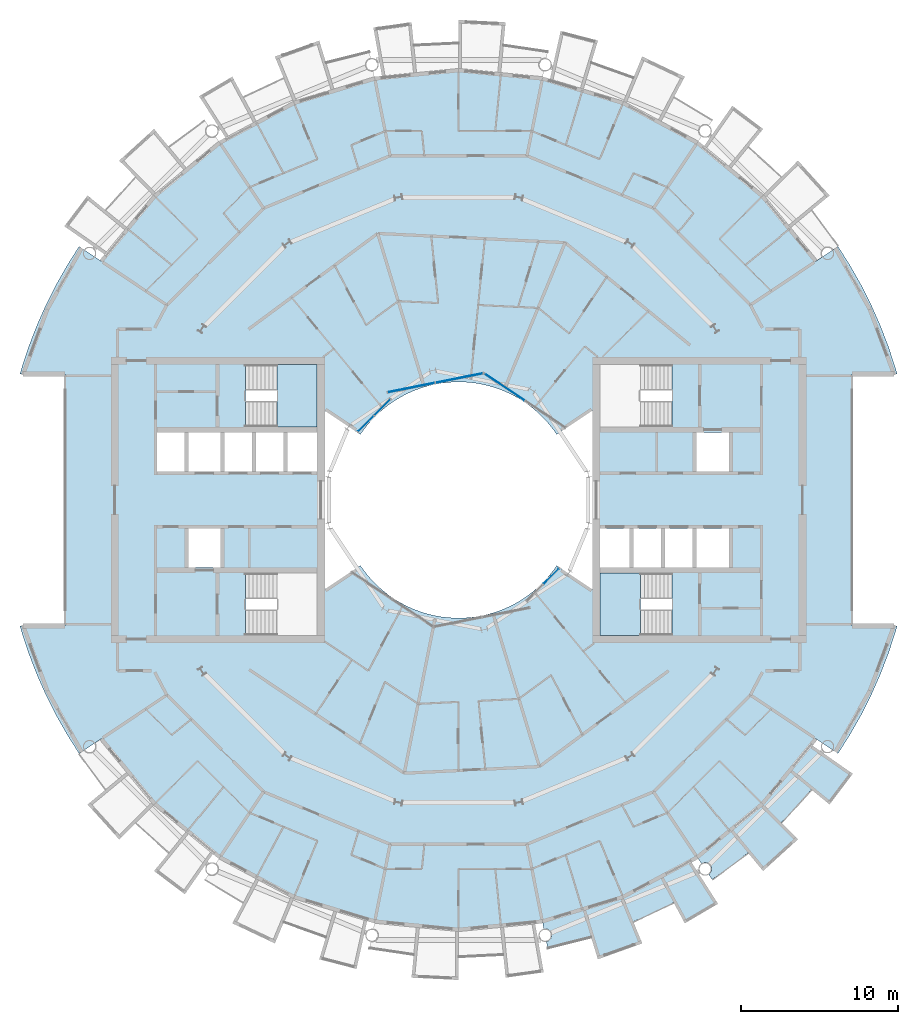
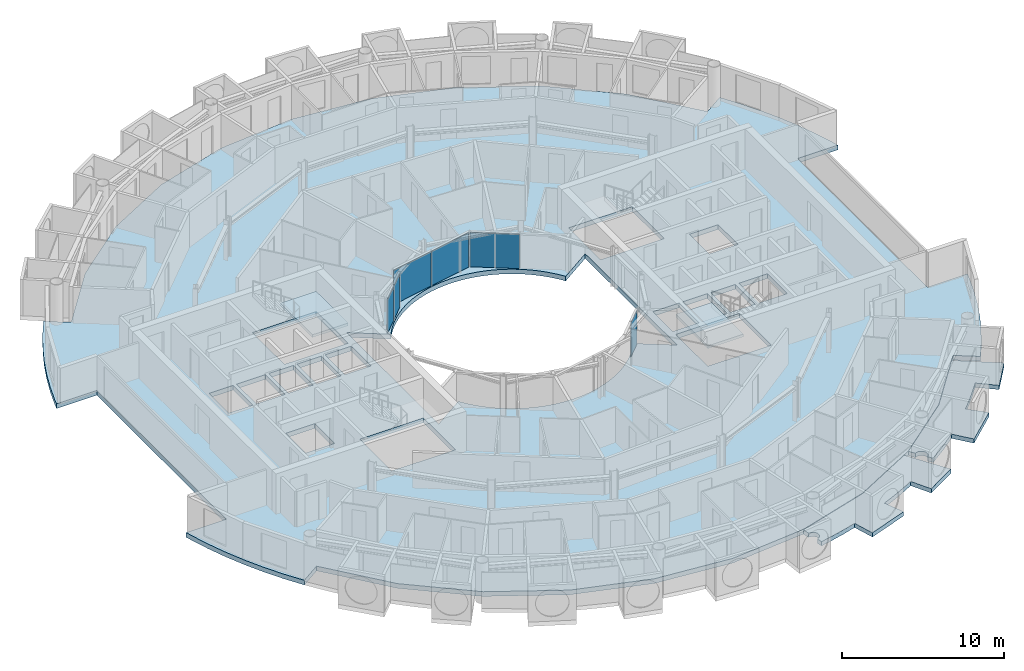
# One storey, part 11 of 27: 6 plates, 5 slabs, 6 elements without a shape of their own.
"""IFC4 building model written with IfcOpenShell, lengths in metres."""

from ifc_helpers import new_model, si_unit, direction, frame, origin, origin_2d, place, context, subcontext, project, spatial, polyline, rectangle, outline, extrude, material, layer, layer_set, type_object, element, aggregate, save


model = new_model("IFC4")

# Units and contexts
model_context = context("Model", 3, precision=1e-05, world=origin(), true_north=direction((0.0, 1.0)))
body_context = subcontext(model_context, "Body", "Model", "MODEL_VIEW")
ifc_project = project(units=[si_unit("LENGTHUNIT", "METRE"), si_unit("AREAUNIT", "SQUARE_METRE"), si_unit("VOLUMEUNIT", "CUBIC_METRE"), si_unit("PLANEANGLEUNIT", "RADIAN"), si_unit("MASSUNIT", "GRAM", prefix="KILO")], contexts=[model_context])

# Site, building, storey
site_placement = place(None, origin())
site = spatial("IfcSite", under=ifc_project, at=site_placement, CompositionType="ELEMENT")
building_placement = place(site_placement, origin())
building = spatial("IfcBuilding", under=site, at=building_placement, Name="Maasbend Ring Residences", CompositionType="ELEMENT")
storey_placement = place(building_placement, frame((0.0, 0.0, 170.75)))
storey = spatial("IfcBuildingStorey", under=building, at=storey_placement, Name="L49", CompositionType="ELEMENT", Elevation=170.75)

# Stair, slab
ifc_material_1 = material(Name="Concrete C40/50", Category="concrete")
stair_type = type_object("IfcStairType", Name="CORE STAIR 18 RISERS", PredefinedType="HALF_TURN_STAIR", material=ifc_material_1)
stair_1_placement = place(storey_placement, origin())
stair_1 = element("IfcStair", 1, at=stair_1_placement, inside=storey, type_object=stair_type, Name="L49 Exit stair ST-E2", PredefinedType="HALF_TURN_STAIR")
ifc_material_2 = material(Name="Concrete C40/50", Category="concrete")
ifc_layer_1 = layer(ifc_material_2, 0.199951171875)
ifc_layer_set_1 = layer_set([ifc_layer_1], Name="Concrete C40/50")
slab_type_1 = type_object("IfcSlabType", Name="CORE STAIR LANDING 200", PredefinedType="LANDING", material=ifc_layer_set_1)
slab_1_placement = place(storey_placement, frame((0.0, 0.0, 1.324951171875)))
slab_1 = element("IfcSlab", 2, at=slab_1_placement, type_object=slab_type_1, Name="ST-E2 landing 1", PredefinedType="LANDING", context=body_context, shape_type="SweptSolid", body=[
    extrude(outline(polyline([(11.550048828125, -4.64990234375), (9.0, -4.64990234375), (9.0, -8.60009765625), (11.550048828125, -8.60009765625), (11.550048828125, -4.64990234375)])), origin(), (0.0, 0.0, 1.0), 0.199951171875),
])
aggregate(stair_1, [slab_1])

stair_2_placement = place(storey_placement, origin())
stair_2 = element("IfcStair", 3, at=stair_2_placement, inside=storey, type_object=stair_type, Name="L49 Exit stair ST-W2", PredefinedType="HALF_TURN_STAIR")
slab_2_placement = place(storey_placement, frame((0.0, 0.0, 1.324951171875)))
slab_2 = element("IfcSlab", 4, at=slab_2_placement, type_object=slab_type_1, Name="ST-W2 landing 1", PredefinedType="LANDING", context=body_context, shape_type="SweptSolid", body=[
    extrude(outline(polyline([(-11.550048828125, 4.64990234375), (-9.0, 4.64990234375), (-9.0, 8.60009765625), (-11.550048828125, 8.60009765625), (-11.550048828125, 4.64990234375)])), origin(), (0.0, 0.0, 1.0), 0.199951171875),
])
aggregate(stair_2, [slab_2])

# Curtain wall, plate
ifc_material_3 = material(Name="Aluminium and clear glass", Category="aluminium")
ifc_layer_2 = layer(ifc_material_3, 0.179931640625)
ifc_layer_set_2 = layer_set([ifc_layer_2], Name="CW-W")
curtain_wall_type = type_object("IfcCurtainWallType", Name="CW-W", PredefinedType="NOTDEFINED", material=ifc_layer_set_2)
curtain_wall_1_placement = place(storey_placement, origin())
curtain_wall_1 = element("IfcCurtainWall", 5, at=curtain_wall_1_placement, inside=storey, type_object=curtain_wall_type, Name="Well curtain wall N1", PredefinedType="NOTDEFINED")
ifc_material_4 = material(Name="Glass clear laminated", Category="glass")
ifc_layer_3 = layer(ifc_material_4, 0.031982421875)
ifc_layer_set_3 = layer_set([ifc_layer_3], Name="CWP-W")
plate_type = type_object("IfcPlateType", Name="CWP-W", PredefinedType="CURTAIN_PANEL", material=ifc_layer_set_3)
plate_1_placement = place(storey_placement, frame((2.922119140625, 7.17578125, 0.0), z_axis=(0.0, 0.0, 1.0), x_axis=(-0.831469612303, 0.55557023302, 0.0)))
plate_1 = element("IfcPlate", 6, at=plate_1_placement, type_object=plate_type, Name="Glass panel well face", PredefinedType="CURTAIN_PANEL", context=body_context, shape_type="SweptSolid", body=[
    extrude(rectangle(XDim=3.053955078125, YDim=0.031982421875, at=origin_2d()), origin(), (0.0, 0.0, 1.0), 2.580078125),
])
aggregate(curtain_wall_1, [plate_1])

# Curtain wall, plates
curtain_wall_2_placement = place(storey_placement, origin())
curtain_wall_2 = element("IfcCurtainWall", 7, at=curtain_wall_2_placement, inside=storey, type_object=curtain_wall_type, Name="Well curtain wall N2", PredefinedType="NOTDEFINED")
plate_2_placement = place(storey_placement, frame((0.04638671875, 7.747802734375, 0.0), z_axis=(0.0, 0.0, 1.0), x_axis=(-0.980785280403, -0.195090322016, 0.0)))
plate_2 = element("IfcPlate", 8, at=plate_2_placement, type_object=plate_type, Name="Glass panel well face", PredefinedType="CURTAIN_PANEL", context=body_context, shape_type="SweptSolid", body=[
    extrude(rectangle(XDim=3.053955078125, YDim=0.031982421875, at=origin_2d()), origin(), (0.0, 0.0, 1.0), 2.580078125),
])
plate_3_placement = place(storey_placement, frame((-3.0078125, 7.140380859375, 0.0), z_axis=(0.0, 0.0, 1.0), x_axis=(-0.980785280403, -0.195090322016, 0.0)))
plate_3 = element("IfcPlate", 9, at=plate_3_placement, type_object=plate_type, Name="Glass panel well face", PredefinedType="CURTAIN_PANEL", context=body_context, shape_type="SweptSolid", body=[
    extrude(rectangle(XDim=3.053955078125, YDim=0.031982421875, at=origin_2d()), origin(), (0.0, 0.0, 1.0), 2.580078125),
])
aggregate(curtain_wall_2, [plate_2, plate_3])

curtain_wall_3_placement = place(storey_placement, origin())
curtain_wall_3 = element("IfcCurtainWall", 10, at=curtain_wall_3_placement, inside=storey, type_object=curtain_wall_type, Name="Well curtain wall N3", PredefinedType="NOTDEFINED")
plate_4_placement = place(storey_placement, frame((-4.84375, 5.89013671875, 0.0), z_axis=(0.0, 0.0, 1.0), x_axis=(-0.707106781187, -0.707106781187, 0.0)))
plate_4 = element("IfcPlate", 11, at=plate_4_placement, type_object=plate_type, Name="Glass panel well face", PredefinedType="CURTAIN_PANEL", context=body_context, shape_type="SweptSolid", body=[
    extrude(rectangle(XDim=1.419677734375, YDim=0.031982421875, at=origin_2d()), origin(), (0.0, 0.0, 1.0), 2.580078125),
])
plate_5_placement = place(storey_placement, frame((-5.89013671875, 4.84375, 0.0), z_axis=(0.0, 0.0, 1.0), x_axis=(-0.707106781187, -0.707106781187, 0.0)))
plate_5 = element("IfcPlate", 12, at=plate_5_placement, type_object=plate_type, Name="Glass panel well face", PredefinedType="CURTAIN_PANEL", context=body_context, shape_type="SweptSolid", body=[
    extrude(rectangle(XDim=1.419677734375, YDim=0.031982421875, at=origin_2d()), origin(), (0.0, 0.0, 1.0), 2.580078125),
])
aggregate(curtain_wall_3, [plate_4, plate_5])

# Curtain wall, plate
curtain_wall_4_placement = place(storey_placement, origin())
curtain_wall_4 = element("IfcCurtainWall", 13, at=curtain_wall_4_placement, inside=storey, type_object=curtain_wall_type, Name="Well curtain wall S3", PredefinedType="NOTDEFINED")
plate_6_placement = place(storey_placement, frame((5.89013671875, -4.84375, 0.0), z_axis=(0.0, 0.0, 1.0), x_axis=(0.707106781187, 0.707106781187, 0.0)))
plate_6 = element("IfcPlate", 14, at=plate_6_placement, type_object=plate_type, Name="Glass panel well face", PredefinedType="CURTAIN_PANEL", context=body_context, shape_type="SweptSolid", body=[
    extrude(rectangle(XDim=1.419677734375, YDim=0.031982421875, at=origin_2d()), origin(), (0.0, 0.0, 1.0), 2.580078125),
])
aggregate(curtain_wall_4, [plate_6])

# Slabs
ifc_material_5 = material(Name="Concrete C40/50", Category="concrete")
ifc_layer_4 = layer(ifc_material_5, 0.35009765625)
ifc_layer_set_4 = layer_set([ifc_layer_4], Name="Concrete C40/50")
slab_type_2 = type_object("IfcSlabType", Name="Post-tensioned flat plate 350", PredefinedType="FLOOR", material=ifc_layer_set_4)
slab_3_placement = place(storey_placement, frame((0.0, 0.0, -0.35009765625)))
element("IfcSlab", 15, at=slab_3_placement, inside=storey, type_object=slab_type_2, Name="Floor slab L49", PredefinedType="FLOOR", context=body_context, shape_type="SweptSolid", body=[
    extrude(outline(polyline([(24.8740234375, -14.908935546875), (25.57568359375, -13.67041015625), (26.2158203125, -12.399169921875), (26.79248046875, -11.097900390625), (27.3046875, -9.769775390625), (27.751220703125, -8.418212890625), (27.866943359375, -8.0), (25.0, -8.0), (25.0, 8.0), (27.866943359375, 8.0), (27.751220703125, 8.418212890625), (27.3046875, 9.769775390625), (26.79248046875, 11.097900390625), (26.2158203125, 12.399169921875), (25.57568359375, 13.67041015625), (24.8740234375, 14.908935546875), (24.112548828125, 16.111572265625), (22.69921875, 15.1669921875), (19.303955078125, 19.303955078125), (15.1669921875, 22.69921875), (10.447265625, 25.221923828125), (5.325927734375, 26.775390625), (0.0, 27.300048828125), (-5.325927734375, 26.775390625), (-10.447265625, 25.221923828125), (-15.1669921875, 22.69921875), (-19.303955078125, 19.303955078125), (-22.69921875, 15.1669921875), (-24.112548828125, 16.111572265625), (-24.8740234375, 14.908935546875), (-25.57568359375, 13.67041015625), (-26.2158203125, 12.399169921875), (-26.79248046875, 11.097900390625), (-27.3046875, 9.769775390625), (-27.751220703125, 8.418212890625), (-27.866943359375, 8.0), (-25.0, 8.0), (-25.0, -8.0), (-27.866943359375, -8.0), (-27.751220703125, -8.418212890625), (-27.3046875, -9.769775390625), (-26.79248046875, -11.097900390625), (-26.2158203125, -12.399169921875), (-25.57568359375, -13.67041015625), (-24.8740234375, -14.908935546875), (-24.112548828125, -16.111572265625), (-22.69921875, -15.1669921875), (-19.303955078125, -19.303955078125), (-15.1669921875, -22.69921875), (-10.447265625, -25.221923828125), (-5.325927734375, -26.775390625), (0.0, -27.300048828125), (5.325927734375, -26.775390625), (10.447265625, -25.221923828125), (15.1669921875, -22.69921875), (19.303955078125, -19.303955078125), (22.69921875, -15.1669921875), (24.112548828125, -16.111572265625), (24.8740234375, -14.908935546875)]), holes=[polyline([(15.125, 1.824951171875), (15.125, 4.27490234375), (17.175048828125, 4.27490234375), (17.175048828125, 1.824951171875), (15.125, 1.824951171875)]), polyline([(15.125, -4.27490234375), (15.125, -1.824951171875), (17.175048828125, -1.824951171875), (17.175048828125, -4.27490234375), (15.125, -4.27490234375)]), polyline([(13.125, -4.27490234375), (13.125, -1.824951171875), (14.875, -1.824951171875), (14.875, -4.27490234375), (13.125, -4.27490234375)]), polyline([(13.550048828125, 8.60009765625), (13.550048828125, 4.64990234375), (9.0, 4.64990234375), (9.0, 8.60009765625), (13.550048828125, 8.60009765625)]), polyline([(13.550048828125, -4.64990234375), (13.550048828125, -8.60009765625), (9.0, -8.60009765625), (9.0, -4.64990234375), (13.550048828125, -4.64990234375)]), polyline([(11.125, -4.27490234375), (11.125, -1.824951171875), (12.875, -1.824951171875), (12.875, -4.27490234375), (11.125, -4.27490234375)]), polyline([(9.0, -4.27490234375), (9.0, -1.824951171875), (10.875, -1.824951171875), (10.875, -4.27490234375), (9.0, -4.27490234375)]), polyline([(6.024169921875, 4.4677734375), (6.236083984375, 4.166748046875), (8.5, 5.679443359375), (8.5, -5.679443359375), (6.236083984375, -4.166748046875), (6.024169921875, -4.4677734375), (5.797607421875, -4.7578125), (5.55712890625, -5.03662109375), (5.30322265625, -5.30322265625), (5.03662109375, -5.55712890625), (4.7578125, -5.797607421875), (4.4677734375, -6.024169921875), (4.166748046875, -6.236083984375), (3.855712890625, -6.43310546875), (3.535400390625, -6.614501953125), (3.206787109375, -6.77978515625), (2.8701171875, -6.92919921875), (2.526611328125, -7.0615234375), (2.177001953125, -7.177001953125), (1.822509765625, -7.275146484375), (1.463134765625, -7.35595703125), (1.1005859375, -7.418701171875), (0.735107421875, -7.4638671875), (0.367919921875, -7.490966796875), (0.0, -7.5), (-0.367919921875, -7.490966796875), (-0.735107421875, -7.4638671875), (-1.1005859375, -7.418701171875), (-1.463134765625, -7.35595703125), (-1.822509765625, -7.275146484375), (-2.177001953125, -7.177001953125), (-2.526611328125, -7.0615234375), (-2.8701171875, -6.92919921875), (-3.206787109375, -6.77978515625), (-3.535400390625, -6.614501953125), (-3.855712890625, -6.43310546875), (-4.166748046875, -6.236083984375), (-4.4677734375, -6.024169921875), (-4.7578125, -5.797607421875), (-5.03662109375, -5.55712890625), (-5.30322265625, -5.30322265625), (-5.55712890625, -5.03662109375), (-5.797607421875, -4.7578125), (-6.024169921875, -4.4677734375), (-6.236083984375, -4.166748046875), (-8.5, -5.679443359375), (-8.5, 5.679443359375), (-6.236083984375, 4.166748046875), (-6.024169921875, 4.4677734375), (-5.797607421875, 4.7578125), (-5.55712890625, 5.03662109375), (-5.30322265625, 5.30322265625), (-5.03662109375, 5.55712890625), (-4.7578125, 5.797607421875), (-4.4677734375, 6.024169921875), (-4.166748046875, 6.236083984375), (-3.855712890625, 6.43310546875), (-3.535400390625, 6.614501953125), (-3.206787109375, 6.77978515625), (-2.8701171875, 6.92919921875), (-2.526611328125, 7.0615234375), (-2.177001953125, 7.177001953125), (-1.822509765625, 7.275146484375), (-1.463134765625, 7.35595703125), (-1.1005859375, 7.418701171875), (-0.735107421875, 7.4638671875), (-0.367919921875, 7.490966796875), (0.0, 7.5), (0.367919921875, 7.490966796875), (0.735107421875, 7.4638671875), (1.1005859375, 7.418701171875), (1.463134765625, 7.35595703125), (1.822509765625, 7.275146484375), (2.177001953125, 7.177001953125), (2.526611328125, 7.0615234375), (2.8701171875, 6.92919921875), (3.206787109375, 6.77978515625), (3.535400390625, 6.614501953125), (3.855712890625, 6.43310546875), (4.166748046875, 6.236083984375), (4.4677734375, 6.024169921875), (4.7578125, 5.797607421875), (5.03662109375, 5.55712890625), (5.30322265625, 5.30322265625), (5.55712890625, 5.03662109375), (5.797607421875, 4.7578125), (6.024169921875, 4.4677734375)]), polyline([(-13.550048828125, 4.64990234375), (-13.550048828125, 8.60009765625), (-9.0, 8.60009765625), (-9.0, 4.64990234375), (-13.550048828125, 4.64990234375)]), polyline([(-9.0, -8.60009765625), (-13.550048828125, -8.60009765625), (-13.550048828125, -4.64990234375), (-9.0, -4.64990234375), (-9.0, -8.60009765625)]), polyline([(-9.0, 4.27490234375), (-9.0, 1.824951171875), (-10.875, 1.824951171875), (-10.875, 4.27490234375), (-9.0, 4.27490234375)]), polyline([(-11.125, 4.27490234375), (-11.125, 1.824951171875), (-12.875, 1.824951171875), (-12.875, 4.27490234375), (-11.125, 4.27490234375)]), polyline([(-13.125, 4.27490234375), (-13.125, 1.824951171875), (-14.875, 1.824951171875), (-14.875, 4.27490234375), (-13.125, 4.27490234375)]), polyline([(-15.125, 4.27490234375), (-15.125, 1.824951171875), (-17.175048828125, 1.824951171875), (-17.175048828125, 4.27490234375), (-15.125, 4.27490234375)]), polyline([(-15.125, -1.824951171875), (-15.125, -4.27490234375), (-17.175048828125, -4.27490234375), (-17.175048828125, -1.824951171875), (-15.125, -1.824951171875)]), polyline([(-17.425048828125, 4.27490234375), (-17.425048828125, 1.824951171875), (-19.14990234375, 1.824951171875), (-19.14990234375, 4.27490234375), (-17.425048828125, 4.27490234375)])]), origin(), (0.0, 0.0, 1.0), 0.35009765625),
])
ifc_material_6 = material(Name="Concrete C40/50", Category="concrete")
ifc_layer_5 = layer(ifc_material_6, 0.199951171875)
ifc_layer_set_5 = layer_set([ifc_layer_5], Name="Concrete C40/50")
slab_type_3 = type_object("IfcSlabType", Name="SL-LOGGIA", PredefinedType="FLOOR", material=ifc_layer_set_5)
slab_4_placement = place(storey_placement, frame((0.0, 0.0, -0.35009765625)))
element("IfcSlab", 16, at=slab_4_placement, inside=storey, type_object=slab_type_3, Name="Loggia floor 2", PredefinedType="FLOOR", context=body_context, shape_type="SweptSolid", body=[
    extrude(outline(polyline([(10.447021484375, -25.221923828125), (12.806884765625, -23.9609375), (14.73291015625, -22.930908203125), (14.73291015625, -22.930908203125), (14.73291015625, -22.930908203125), (16.487060546875, -25.659912109375), (16.487060546875, -25.659912109375), (16.487060546875, -25.659912109375), (14.3779296875, -26.89892578125), (14.3779296875, -26.89892578125), (14.3779296875, -26.89892578125), (13.6708984375, -25.575927734375), (13.6708984375, -25.575927734375), (13.6708984375, -25.575927734375), (13.6708984375, -25.575927734375), (13.6708984375, -25.575927734375), (13.6708984375, -25.575927734375), (13.6708984375, -25.575927734375), (13.669921875, -25.575927734375), (13.669921875, -25.575927734375), (13.669921875, -25.575927734375), (13.669921875, -25.575927734375), (13.669921875, -25.575927734375), (13.669921875, -25.575927734375), (13.669921875, -25.575927734375), (13.669921875, -25.575927734375), (13.669921875, -25.575927734375), (13.669921875, -25.575927734375), (12.825927734375, -26.009033203125), (12.825927734375, -26.009033203125), (11.968994140625, -26.4150390625), (11.968994140625, -26.4150390625), (11.097900390625, -26.7919921875), (11.097900390625, -26.7919921875), (11.097900390625, -26.7919921875), (11.097900390625, -26.7919921875), (11.097900390625, -26.7919921875), (11.097900390625, -26.7919921875), (11.097900390625, -26.7919921875), (11.097900390625, -26.79296875), (11.097900390625, -26.79296875), (11.097900390625, -26.79296875), (11.097900390625, -26.79296875), (11.097900390625, -26.79296875), (11.097900390625, -26.79296875), (11.097900390625, -26.79296875), (11.097900390625, -26.79296875), (11.097900390625, -26.79296875), (11.097900390625, -26.79296875), (11.672119140625, -28.177978515625), (11.672119140625, -28.177978515625), (11.672119140625, -28.177978515625), (8.85400390625, -29.18701171875), (8.85400390625, -29.18701171875), (8.85400390625, -29.18701171875), (8.41796875, -27.751953125), (8.41796875, -27.751953125), (8.41796875, -27.751953125), (8.41796875, -27.751953125), (8.41796875, -27.751953125), (8.41796875, -27.751953125), (8.41796875, -27.751953125), (8.41796875, -27.7509765625), (8.41796875, -27.7509765625), (8.41796875, -27.7509765625), (8.41796875, -27.7509765625), (8.41796875, -27.7509765625), (8.41796875, -27.7509765625), (8.41796875, -27.7509765625), (8.41796875, -27.7509765625), (8.41796875, -27.7509765625), (8.41796875, -27.7509765625), (7.506103515625, -28.011962890625), (7.506103515625, -28.011962890625), (6.5849609375, -28.241943359375), (6.5849609375, -28.241943359375), (5.657958984375, -28.443115234375), (5.657958984375, -28.443115234375), (5.657958984375, -28.443115234375), (5.5810546875, -28.056884765625), (5.591064453125, -28.054931640625), (5.60009765625, -28.052001953125), (5.610107421875, -28.050048828125), (5.6201171875, -28.047119140625), (5.62890625, -28.0439453125), (5.637939453125, -28.041015625), (5.64794921875, -28.037109375), (5.656982421875, -28.033935546875), (5.666015625, -28.030029296875), (5.675048828125, -28.02587890625), (5.68408203125, -28.02099609375), (5.693115234375, -28.01708984375), (5.701904296875, -28.011962890625), (5.7099609375, -28.007080078125), (5.718994140625, -28.001953125), (5.72705078125, -27.99609375), (5.736083984375, -27.989990234375), (5.743896484375, -27.985107421875), (5.751953125, -27.97900390625), (5.759033203125, -27.971923828125), (5.76708984375, -27.966064453125), (5.77392578125, -27.958984375), (5.781982421875, -27.952880859375), (5.7890625, -27.946044921875), (5.7958984375, -27.93798828125), (5.802978515625, -27.930908203125), (5.80908203125, -27.924072265625), (5.81591796875, -27.916015625), (5.822021484375, -27.907958984375), (5.827880859375, -27.89990234375), (5.833984375, -27.89208984375), (5.839111328125, -27.884033203125), (5.844970703125, -27.8759765625), (5.85009765625, -27.866943359375), (5.85498046875, -27.85791015625), (5.860107421875, -27.85009765625), (5.864990234375, -27.841064453125), (5.868896484375, -27.83203125), (5.873046875, -27.822998046875), (5.876953125, -27.81396484375), (5.881103515625, -27.803955078125), (5.884033203125, -27.794921875), (5.886962890625, -27.785888671875), (5.889892578125, -27.77587890625), (5.89306640625, -27.76708984375), (5.89599609375, -27.757080078125), (5.89794921875, -27.7470703125), (5.89990234375, -27.737060546875), (5.902099609375, -27.72802734375), (5.904052734375, -27.718017578125), (5.905029296875, -27.7080078125), (5.906005859375, -27.697998046875), (5.906982421875, -27.68798828125), (5.907958984375, -27.677978515625), (5.907958984375, -27.66796875), (5.907958984375, -27.657958984375), (5.907958984375, -27.64794921875), (5.907958984375, -27.637939453125), (5.906982421875, -27.6279296875), (5.906005859375, -27.617919921875), (5.905029296875, -27.60791015625), (5.904052734375, -27.597900390625), (5.902099609375, -27.589111328125), (5.89990234375, -27.5791015625), (5.89794921875, -27.569091796875), (5.89599609375, -27.55908203125), (5.89306640625, -27.550048828125), (5.889892578125, -27.5400390625), (5.886962890625, -27.531005859375), (5.884033203125, -27.52099609375), (5.881103515625, -27.511962890625), (5.876953125, -27.5029296875), (5.873046875, -27.492919921875), (5.868896484375, -27.48388671875), (5.864990234375, -27.47509765625), (5.860107421875, -27.466064453125), (5.85498046875, -27.4580078125), (5.85009765625, -27.448974609375), (5.844970703125, -27.44091796875), (5.839111328125, -27.431884765625), (5.833984375, -27.424072265625), (5.827880859375, -27.416015625), (5.822021484375, -27.407958984375), (5.81591796875, -27.39990234375), (5.80908203125, -27.39306640625), (5.802978515625, -27.385009765625), (5.7958984375, -27.3779296875), (5.7890625, -27.37109375), (5.781982421875, -27.364013671875), (5.77392578125, -27.35693359375), (5.76708984375, -27.35009765625), (5.759033203125, -27.343994140625), (5.751953125, -27.337890625), (5.743896484375, -27.33203125), (5.736083984375, -27.325927734375), (5.72705078125, -27.320068359375), (5.718994140625, -27.31494140625), (5.7099609375, -27.30908203125), (5.701904296875, -27.303955078125), (5.693115234375, -27.300048828125), (5.68408203125, -27.294921875), (5.675048828125, -27.291015625), (5.666015625, -27.285888671875), (5.656982421875, -27.282958984375), (5.64794921875, -27.279052734375), (5.637939453125, -27.27490234375), (5.62890625, -27.27197265625), (5.6201171875, -27.26904296875), (5.610107421875, -27.26611328125), (5.60009765625, -27.263916015625), (5.591064453125, -27.260986328125), (5.5810546875, -27.259033203125), (5.571044921875, -27.258056640625), (5.56103515625, -27.256103515625), (5.551025390625, -27.2548828125), (5.541015625, -27.25390625), (5.531005859375, -27.2529296875), (5.52099609375, -27.251953125), (5.510986328125, -27.251953125), (5.501953125, -27.251953125), (5.491943359375, -27.251953125), (5.48193359375, -27.251953125), (5.471923828125, -27.2529296875), (5.4619140625, -27.25390625), (5.451904296875, -27.2548828125), (5.44189453125, -27.256103515625), (5.431884765625, -27.258056640625), (5.422119140625, -27.259033203125), (5.325927734375, -26.77490234375), (5.325927734375, -26.77490234375), (5.325927734375, -26.77490234375), (7.886962890625, -25.9990234375), (10.447021484375, -25.221923828125), (10.447021484375, -25.221923828125), (10.447021484375, -25.221923828125)])), origin(), (0.0, 0.0, 1.0), 0.320068359375),
])
slab_5_placement = place(storey_placement, frame((0.0, 0.0, -0.35009765625)))
element("IfcSlab", 17, at=slab_5_placement, inside=storey, type_object=slab_type_3, Name="Loggia floor 5", PredefinedType="FLOOR", context=body_context, shape_type="SweptSolid", body=[
    extrude(outline(polyline([(19.303955078125, -19.303955078125), (21.001953125, -17.236083984375), (22.386962890625, -15.547119140625), (22.386962890625, -15.547119140625), (22.386962890625, -15.547119140625), (25.051025390625, -17.39794921875), (25.051025390625, -17.39794921875), (25.051025390625, -17.39794921875), (23.576904296875, -19.34912109375), (23.576904296875, -19.34912109375), (23.576904296875, -19.34912109375), (22.41796875, -18.39794921875), (22.41796875, -18.39794921875), (22.41796875, -18.39794921875), (22.41796875, -18.39794921875), (22.41796875, -18.39794921875), (22.4169921875, -18.39794921875), (22.4169921875, -18.39794921875), (22.4169921875, -18.39794921875), (22.4169921875, -18.39794921875), (22.4169921875, -18.39794921875), (22.4169921875, -18.39794921875), (22.4169921875, -18.39794921875), (22.4169921875, -18.39794921875), (22.4169921875, -18.39794921875), (22.4169921875, -18.39794921875), (22.4169921875, -18.39794921875), (22.4169921875, -18.39794921875), (21.802978515625, -19.12109375), (21.802978515625, -19.12109375), (21.166015625, -19.823974609375), (21.166015625, -19.823974609375), (20.506103515625, -20.506103515625), (20.506103515625, -20.506103515625), (20.506103515625, -20.506103515625), (20.506103515625, -20.506103515625), (20.506103515625, -20.506103515625), (20.506103515625, -20.506103515625), (20.506103515625, -20.506103515625), (20.506103515625, -20.506103515625), (20.506103515625, -20.506103515625), (20.506103515625, -20.506103515625), (20.506103515625, -20.506103515625), (20.506103515625, -20.506103515625), (20.506103515625, -20.506103515625), (20.506103515625, -20.506103515625), (20.506103515625, -20.506103515625), (20.506103515625, -20.506103515625), (20.506103515625, -20.506103515625), (21.56689453125, -21.56689453125), (21.56689453125, -21.56689453125), (21.56689453125, -21.56689453125), (19.34912109375, -23.576904296875), (19.34912109375, -23.576904296875), (19.34912109375, -23.576904296875), (18.39794921875, -22.41796875), (18.39794921875, -22.41796875), (18.39794921875, -22.41796875), (18.39794921875, -22.41796875), (18.39794921875, -22.41796875), (18.39794921875, -22.41796875), (18.39697265625, -22.41796875), (18.39697265625, -22.41796875), (18.39697265625, -22.41796875), (18.39697265625, -22.41796875), (18.39697265625, -22.41796875), (18.39697265625, -22.41796875), (18.39697265625, -22.41796875), (18.39697265625, -22.41796875), (18.39697265625, -22.41796875), (18.39697265625, -22.41796875), (18.39697265625, -22.41796875), (17.654052734375, -23.007080078125), (17.654052734375, -23.007080078125), (16.89208984375, -23.572998046875), (16.89208984375, -23.572998046875), (16.112060546875, -24.113037109375), (16.112060546875, -24.113037109375), (16.112060546875, -24.113037109375), (15.89306640625, -23.784912109375), (15.89306640625, -23.784912109375), (15.90087890625, -23.780029296875), (15.908935546875, -23.77392578125), (15.9169921875, -23.76806640625), (15.925048828125, -23.761962890625), (15.93310546875, -23.7548828125), (15.93994140625, -23.7490234375), (15.947021484375, -23.741943359375), (15.955078125, -23.735107421875), (15.9619140625, -23.72802734375), (15.968017578125, -23.719970703125), (15.97509765625, -23.712890625), (15.98095703125, -23.705078125), (15.988037109375, -23.697021484375), (15.993896484375, -23.68994140625), (15.9990234375, -23.680908203125), (16.0048828125, -23.673095703125), (16.010986328125, -23.6650390625), (16.01611328125, -23.656005859375), (16.02099609375, -23.64794921875), (16.02587890625, -23.638916015625), (16.030029296875, -23.6298828125), (16.034912109375, -23.62109375), (16.0390625, -23.612060546875), (16.04296875, -23.60302734375), (16.0458984375, -23.593994140625), (16.050048828125, -23.583984375), (16.052978515625, -23.574951171875), (16.055908203125, -23.56494140625), (16.05908203125, -23.555908203125), (16.06103515625, -23.5458984375), (16.06396484375, -23.535888671875), (16.06591796875, -23.527099609375), (16.068115234375, -23.51708984375), (16.069091796875, -23.507080078125), (16.071044921875, -23.4970703125), (16.072021484375, -23.487060546875), (16.072021484375, -23.47705078125), (16.072998046875, -23.467041015625), (16.072998046875, -23.45703125), (16.073974609375, -23.447021484375), (16.072998046875, -23.43701171875), (16.072998046875, -23.427001953125), (16.072021484375, -23.4169921875), (16.072021484375, -23.407958984375), (16.071044921875, -23.39794921875), (16.069091796875, -23.387939453125), (16.068115234375, -23.3779296875), (16.06591796875, -23.367919921875), (16.06396484375, -23.35791015625), (16.06103515625, -23.34912109375), (16.05908203125, -23.339111328125), (16.055908203125, -23.3291015625), (16.052978515625, -23.320068359375), (16.050048828125, -23.31005859375), (16.0458984375, -23.301025390625), (16.04296875, -23.2919921875), (16.0390625, -23.282958984375), (16.034912109375, -23.27392578125), (16.030029296875, -23.264892578125), (16.02587890625, -23.256103515625), (16.02099609375, -23.2470703125), (16.01611328125, -23.238037109375), (16.010986328125, -23.22998046875), (16.0048828125, -23.221923828125), (15.9990234375, -23.212890625), (15.993896484375, -23.205078125), (15.988037109375, -23.197021484375), (15.98095703125, -23.18994140625), (15.97509765625, -23.181884765625), (15.968017578125, -23.174072265625), (15.9619140625, -23.1669921875), (15.955078125, -23.159912109375), (15.947021484375, -23.153076171875), (15.93994140625, -23.14599609375), (15.93310546875, -23.139892578125), (15.925048828125, -23.133056640625), (15.9169921875, -23.126953125), (15.908935546875, -23.12109375), (15.90087890625, -23.114990234375), (15.89306640625, -23.10888671875), (15.885009765625, -23.10400390625), (15.8759765625, -23.09912109375), (15.866943359375, -23.093994140625), (15.85888671875, -23.089111328125), (15.85009765625, -23.083984375), (15.841064453125, -23.080078125), (15.83203125, -23.075927734375), (15.822998046875, -23.072021484375), (15.81298828125, -23.068115234375), (15.803955078125, -23.06494140625), (15.794921875, -23.06103515625), (15.784912109375, -23.05810546875), (15.77587890625, -23.055908203125), (15.76611328125, -23.052978515625), (15.756103515625, -23.051025390625), (15.74609375, -23.049072265625), (15.737060546875, -23.047119140625), (15.72705078125, -23.044921875), (15.717041015625, -23.0439453125), (15.70703125, -23.04296875), (15.697021484375, -23.0419921875), (15.68701171875, -23.041015625), (15.677001953125, -23.041015625), (15.6669921875, -23.041015625), (15.656982421875, -23.041015625), (15.64697265625, -23.041015625), (15.636962890625, -23.0419921875), (15.626953125, -23.04296875), (15.616943359375, -23.0439453125), (15.60693359375, -23.044921875), (15.597900390625, -23.047119140625), (15.587890625, -23.049072265625), (15.577880859375, -23.051025390625), (15.568115234375, -23.052978515625), (15.55908203125, -23.055908203125), (15.549072265625, -23.05810546875), (15.5400390625, -23.06103515625), (15.530029296875, -23.06494140625), (15.52099609375, -23.068115234375), (15.511962890625, -23.072021484375), (15.501953125, -23.075927734375), (15.492919921875, -23.080078125), (15.48388671875, -23.083984375), (15.47509765625, -23.089111328125), (15.467041015625, -23.093994140625), (15.4580078125, -23.09912109375), (15.449951171875, -23.10400390625), (15.44091796875, -23.10888671875), (15.44091796875, -23.10888671875), (15.1669921875, -22.698974609375), (15.1669921875, -22.698974609375), (15.1669921875, -22.698974609375), (17.236083984375, -21.001953125), (19.303955078125, -19.303955078125), (19.303955078125, -19.303955078125), (19.303955078125, -19.303955078125)])), origin(), (0.0, 0.0, 1.0), 0.320068359375),
])

save(model, "model.ifc")
